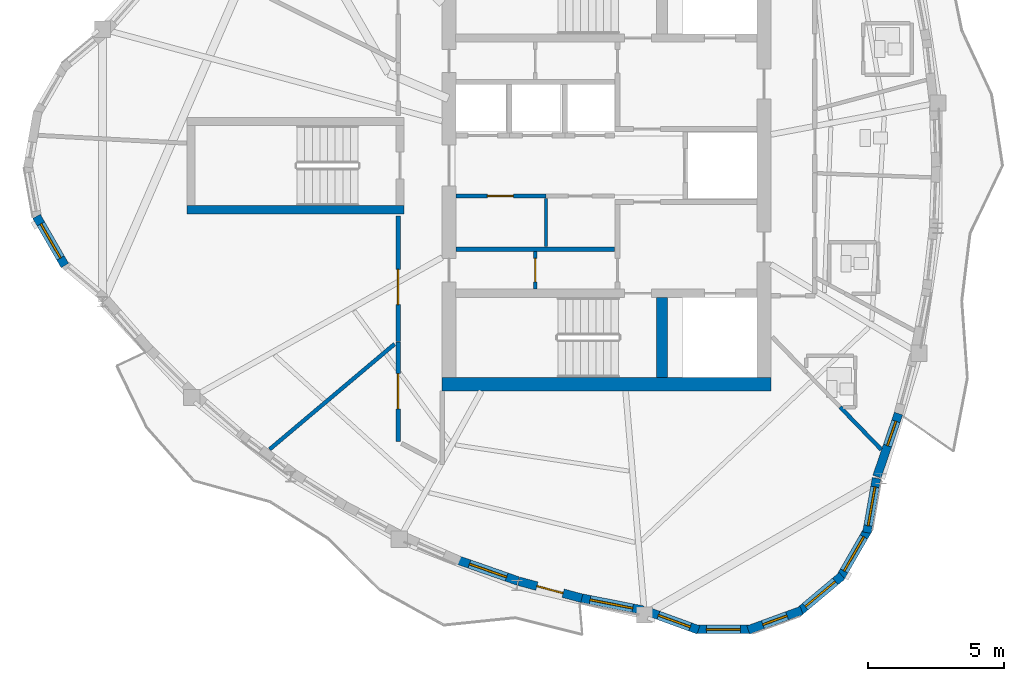
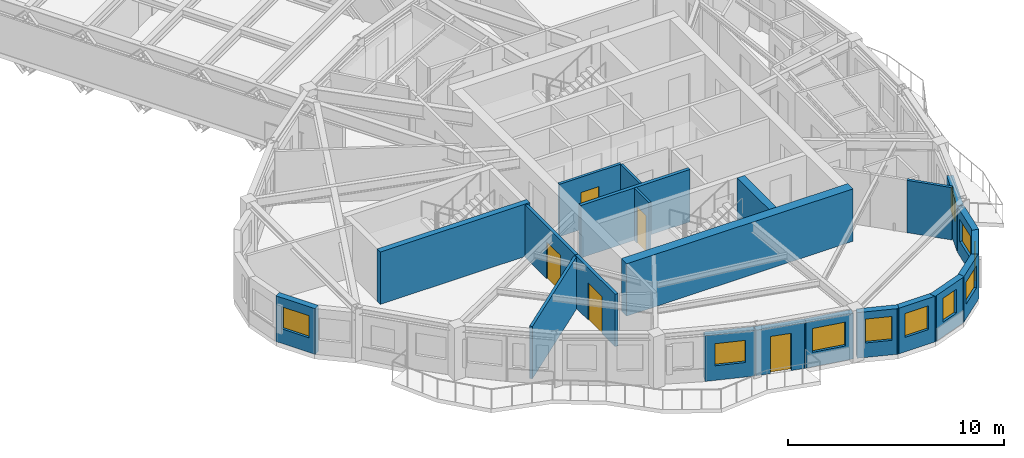
# One storey, part 5 of 14: 22 walls, 10 windows, 5 doors, 15 openings.
"""IFC4 building model written with IfcOpenShell, lengths in metres."""

from ifc_helpers import new_model, si_unit, direction, frame, frame_2d, origin, place, context, subcontext, project, spatial, rectangle, extrude, source, transform, mapped, material, layer, layer_set, type_object, element, fill, save


model = new_model("IFC4")

# Units and contexts
model_context = context("Model", 3, precision=1e-05, world=origin(), true_north=direction((0.0, 1.0)))
body_context = subcontext(model_context, "Body", "Model", "MODEL_VIEW")
ifc_project = project(units=[si_unit("LENGTHUNIT", "METRE"), si_unit("AREAUNIT", "SQUARE_METRE"), si_unit("VOLUMEUNIT", "CUBIC_METRE"), si_unit("PLANEANGLEUNIT", "RADIAN"), si_unit("MASSUNIT", "GRAM", prefix="KILO")], contexts=[model_context])

# Site, building, storey
site_placement = place(None, origin())
site = spatial("IfcSite", under=ifc_project, at=site_placement, CompositionType="ELEMENT")
building_placement = place(site_placement, origin())
building = spatial("IfcBuilding", under=site, at=building_placement, Name="Qafzar Sky-Pleat Residences", CompositionType="ELEMENT")
storey_placement = place(building_placement, frame((0.0, 0.0, 211.60009765625)))
storey = spatial("IfcBuildingStorey", under=building, at=storey_placement, Name="L63", CompositionType="ELEMENT", Elevation=211.60009765625)

# Wall, opening, door
ifc_material_1 = material(Name="Acoustic gypsum plasterboard partition", Category="gypsum")
ifc_layer_1 = layer(ifc_material_1, 0.159912109375)
ifc_layer_set_1 = layer_set([ifc_layer_1], Name="Acoustic gypsum plasterboard partition")
wall_type_1 = type_object("IfcWallType", Name="PART-COR-160", PredefinedType="PARTITIONING", material=ifc_layer_set_1)
wall_1_placement = place(storey_placement, frame((22.679931640625, 19.52001953125, 0.0), z_axis=(0.0, 0.0, 1.0), x_axis=(0.0, 1.0, 0.0)))
wall_1 = element("IfcWall", 1, at=wall_1_placement, inside=storey, type_object=wall_type_1, Name="L63 Partition Wall PART-L63-PW-004", PredefinedType="PARTITIONING", context=body_context, shape_type="SweptSolid", body=[
    extrude(rectangle(XDim=4.6298828125, YDim=0.159912109375, at=frame_2d((2.31494140625, 0.0))), origin(), (0.0, 0.0, 1.0), 2.9599609375),
])
opening_1_placement = place(wall_1_placement, frame((1.35693359375, 0.0, 0.0)))
opening_1 = element("IfcOpeningElement", 2, at=opening_1_placement, cuts=wall_1, Name="Opening ID-05", PredefinedType="OPENING", context=body_context, shape_type="SweptSolid", body=[
    extrude(rectangle(XDim=1.300048828125, YDim=2.10009765625, at=frame_2d((0.64990234375, 1.050048828125))), frame((0.0, 0.08984375, 0.0), z_axis=(0.0, -1.0, 0.0), x_axis=(1.0, 0.0, 0.0)), (0.0, 0.0, 1.0), 0.179931640625),
])
ifc_material_2 = material(Name="Timber-faced fire door", Category="wood")
door_type_1 = type_object("IfcDoorType", Name="DR-LNG-1300", OperationType="DOUBLE_DOOR_SINGLE_SWING", PredefinedType="DOOR", material=ifc_material_2)
shared_shape_1 = source(origin(), body_context, "Body", "SweptSolid", [
    extrude(rectangle(XDim=1.300048828125, YDim=2.10009765625, at=frame_2d((0.64990234375, 1.050048828125))), frame((0.0, 0.02490234375, 0.0), z_axis=(0.0, -1.0, 0.0), x_axis=(1.0, 0.0, 0.0)), (0.0, 0.0, 1.0), 0.050048828125),
])
door_1_placement = place(opening_1_placement, origin())
door_1 = element("IfcDoor", 3, at=door_1_placement, inside=storey, type_object=door_type_1, Name="L63 Tutorial Huddle Room Door", OperationType="DOUBLE_DOOR_SINGLE_SWING", OverallHeight=2.10009765625, OverallWidth=1.300048828125, PredefinedType="DOOR", context=body_context, shape_type="MappedRepresentation", body=[
    mapped(shared_shape_1, transform((0.0, 0.0, 0.0), x_axis=(1.0, 0.0, 0.0), y_axis=(0.0, 1.0, 0.0), z_axis=(0.0, 0.0, 1.0), scale=1.0)),
])
fill(opening_1, door_1)

wall_2_placement = place(storey_placement, frame((22.679931640625, 19.5048828125, 0.0), z_axis=(0.0, 0.0, 1.0), x_axis=(0.0, -1.0, 0.0)))
wall_2 = element("IfcWall", 4, at=wall_2_placement, inside=storey, type_object=wall_type_1, Name="L63 Partition Wall PART-L63-PW-007", PredefinedType="PARTITIONING", context=body_context, shape_type="SweptSolid", body=[
    extrude(rectangle(XDim=3.66796875, YDim=0.159912109375, at=frame_2d((1.833984375, 0.0))), origin(), (0.0, 0.0, 1.0), 2.9599609375),
])
opening_2_placement = place(wall_2_placement, frame((1.1669921875, 0.0, 0.0)))
opening_2 = element("IfcOpeningElement", 5, at=opening_2_placement, cuts=wall_2, Name="Opening ID-05", PredefinedType="OPENING", context=body_context, shape_type="SweptSolid", body=[
    extrude(rectangle(XDim=1.300048828125, YDim=2.10009765625, at=frame_2d((0.64990234375, 1.050048828125))), frame((0.0, 0.08984375, 0.0), z_axis=(0.0, -1.0, 0.0), x_axis=(1.0, 0.0, 0.0)), (0.0, 0.0, 1.0), 0.179931640625),
])
door_2_placement = place(opening_2_placement, origin())
door_2 = element("IfcDoor", 6, at=door_2_placement, inside=storey, type_object=door_type_1, Name="L63 Academic Seminar Room Door", OperationType="DOUBLE_DOOR_SINGLE_SWING", OverallHeight=2.10009765625, OverallWidth=1.300048828125, PredefinedType="DOOR", context=body_context, shape_type="MappedRepresentation", body=[
    mapped(shared_shape_1, transform((0.0, 0.0, 0.0), x_axis=(1.0, 0.0, 0.0), y_axis=(0.0, 1.0, 0.0), z_axis=(0.0, 0.0, 1.0), scale=1.0)),
])
fill(opening_2, door_2)

# Walls
ifc_material_3 = material(Name="Concrete blockwork partition", Category="masonry")
ifc_layer_2 = layer(ifc_material_3, 0.179931640625)
ifc_layer_set_2 = layer_set([ifc_layer_2], Name="Concrete blockwork partition")
wall_type_2 = type_object("IfcWallType", Name="PART-SHAFT-180", PredefinedType="PARTITIONING", material=ifc_layer_set_2)
wall_3_placement = place(storey_placement, frame((24.81005859375, 22.919921875, 0.0), z_axis=(0.0, 0.0, 1.0), x_axis=(1.0, 0.0, 0.0)))
element("IfcWall", 7, at=wall_3_placement, inside=storey, type_object=wall_type_2, Name="L63 Partition Wall PART-L63-P13-S", PredefinedType="PARTITIONING", context=body_context, shape_type="SweptSolid", body=[
    extrude(rectangle(XDim=5.83984375, YDim=0.179931640625, at=frame_2d((2.919921875, 0.0))), origin(), (0.0, 0.0, 1.0), 2.9599609375),
])
ifc_material_4 = material(Name="Gypsum plasterboard partition", Category="gypsum")
ifc_layer_3 = layer(ifc_material_4, 0.114990234375)
ifc_layer_set_3 = layer_set([ifc_layer_3], Name="Gypsum plasterboard partition")
wall_type_3 = type_object("IfcWallType", Name="PART-SVC-115", PredefinedType="PARTITIONING", material=ifc_layer_set_3)
wall_4_placement = place(storey_placement, frame((28.125, 23.02001953125, 0.0), z_axis=(0.0, 0.0, 1.0), x_axis=(0.0, 1.0, 0.0)))
element("IfcWall", 8, at=wall_4_placement, inside=storey, type_object=wall_type_3, Name="L63 Partition Wall PART-L63-RECLAIM-DIV", PredefinedType="PARTITIONING", context=body_context, shape_type="SweptSolid", body=[
    extrude(rectangle(XDim=1.77001953125, YDim=0.114990234375, at=frame_2d((0.885009765625, 0.0))), origin(), (0.0, 0.0, 1.0), 2.9599609375),
])

# Wall, opening, door
wall_5_placement = place(storey_placement, frame((27.72509765625, 21.4599609375, 0.0), z_axis=(0.0, 0.0, 1.0), x_axis=(0.0, 1.0, 0.0)))
wall_5 = element("IfcWall", 9, at=wall_5_placement, inside=storey, type_object=wall_type_3, Name="L63 Partition Wall PART-L63-KB-SW", PredefinedType="PARTITIONING", context=body_context, shape_type="SweptSolid", body=[
    extrude(rectangle(XDim=1.380126953125, YDim=0.114990234375, at=frame_2d((0.68994140625, 0.0))), origin(), (0.0, 0.0, 1.0), 2.9599609375),
])
opening_3_placement = place(wall_5_placement, frame((0.260009765625, 0.0, 0.0)))
opening_3 = element("IfcOpeningElement", 10, at=opening_3_placement, cuts=wall_5, Name="Opening ID-09", PredefinedType="OPENING", context=body_context, shape_type="SweptSolid", body=[
    extrude(rectangle(XDim=0.860107421875, YDim=2.050048828125, at=frame_2d((0.43017578125, 1.02490234375))), frame((0.0, 0.0673828125, 0.0), z_axis=(0.0, -1.0, 0.0), x_axis=(1.0, 0.0, 0.0)), (0.0, 0.0, 1.0), 0.135009765625),
])
door_type_2 = type_object("IfcDoorType", Name="DR-SVC-860", OperationType="NOTDEFINED", PredefinedType="DOOR", material=ifc_material_2)
shared_shape_2 = source(origin(), body_context, "Body", "SweptSolid", [
    extrude(rectangle(XDim=0.860107421875, YDim=2.050048828125, at=frame_2d((0.43017578125, 1.02490234375))), frame((0.0, 0.02490234375, 0.0), z_axis=(0.0, -1.0, 0.0), x_axis=(1.0, 0.0, 0.0)), (0.0, 0.0, 1.0), 0.050048828125),
])
door_3_placement = place(opening_3_placement, origin())
door_3 = element("IfcDoor", 11, at=door_3_placement, inside=storey, type_object=door_type_2, Name="L63 BMS Metering Cupboard Door", OperationType="SINGLE_SWING_LEFT", OverallHeight=2.050048828125, OverallWidth=0.860107421875, PredefinedType="DOOR", context=body_context, shape_type="MappedRepresentation", body=[
    mapped(shared_shape_2, transform((0.0, 0.0, 0.0), x_axis=(1.0, 0.0, 0.0), y_axis=(0.0, 1.0, 0.0), z_axis=(0.0, 0.0, 1.0), scale=1.0)),
])
fill(opening_3, door_3)

ifc_layer_4 = layer(ifc_material_1, 0.14501953125)
ifc_layer_set_4 = layer_set([ifc_layer_4], Name="Acoustic gypsum plasterboard partition")
wall_type_4 = type_object("IfcWallType", Name="PART-UNIT-145", PredefinedType="PARTITIONING", material=ifc_layer_set_4)
wall_6_placement = place(storey_placement, frame((24.81005859375, 24.8798828125, 0.0), z_axis=(0.0, 0.0, 1.0), x_axis=(1.0, 0.0, 0.0)))
wall_6 = element("IfcWall", 12, at=wall_6_placement, inside=storey, type_object=wall_type_4, Name="L63 Partition Wall PART-L63-RECLAIM-N1", PredefinedType="PARTITIONING", context=body_context, shape_type="SweptSolid", body=[
    extrude(rectangle(XDim=3.31005859375, YDim=0.14501953125, at=frame_2d((1.655029296875, 0.0))), origin(), (0.0, 0.0, 1.0), 2.9599609375),
])
opening_4_placement = place(wall_6_placement, frame((1.14990234375, 0.0, 0.0)))
opening_4 = element("IfcOpeningElement", 13, at=opening_4_placement, cuts=wall_6, Name="Opening ID-06", PredefinedType="OPENING", context=body_context, shape_type="SweptSolid", body=[
    extrude(rectangle(XDim=0.9599609375, YDim=2.10009765625, at=frame_2d((0.47998046875, 1.050048828125))), frame((0.0, 0.08251953125, 0.0), z_axis=(0.0, -1.0, 0.0), x_axis=(1.0, 0.0, 0.0)), (0.0, 0.0, 1.0), 0.1650390625),
])
door_type_3 = type_object("IfcDoorType", Name="DR-STD-960", OperationType="NOTDEFINED", PredefinedType="DOOR", material=ifc_material_2)
shared_shape_3 = source(origin(), body_context, "Body", "SweptSolid", [
    extrude(rectangle(XDim=0.9599609375, YDim=2.10009765625, at=frame_2d((0.47998046875, 1.050048828125))), frame((0.0, 0.02490234375, 0.0), z_axis=(0.0, -1.0, 0.0), x_axis=(1.0, 0.0, 0.0)), (0.0, 0.0, 1.0), 0.050048828125),
])
door_4_placement = place(opening_4_placement, origin())
door_4 = element("IfcDoor", 14, at=door_4_placement, inside=storey, type_object=door_type_3, Name="L63 Reclaimed Quiet Study Room Door", OperationType="SINGLE_SWING_LEFT", OverallHeight=2.10009765625, OverallWidth=0.9599609375, PredefinedType="DOOR", context=body_context, shape_type="MappedRepresentation", body=[
    mapped(shared_shape_3, transform((0.0, 0.0, 0.0), x_axis=(1.0, 0.0, 0.0), y_axis=(0.0, 1.0, 0.0), z_axis=(0.0, 0.0, 1.0), scale=1.0)),
])
fill(opening_4, door_4)

# Walls
wall_7_placement = place(storey_placement, frame((17.9482421875, 15.552978515625, 0.0), z_axis=(0.0, 0.0, 1.0), x_axis=(0.764805901006, 0.644260765364, 0.0)))
element("IfcWall", 15, at=wall_7_placement, inside=storey, type_object=wall_type_4, Name="L63 Partition Wall PART-L63-PW-019", PredefinedType="PARTITIONING", context=body_context, shape_type="SweptSolid", body=[
    extrude(rectangle(XDim=6.01318359375, YDim=0.14501953125, at=frame_2d((3.006591796875, 0.0))), origin(), (0.0, 0.0, 1.0), 2.9599609375),
])
wall_8_placement = place(storey_placement, frame((38.950927734375, 17.10888671875, 0.0), z_axis=(0.0, 0.0, 1.0), x_axis=(0.695195716836, -0.718820502833, 0.0)))
element("IfcWall", 16, at=wall_8_placement, inside=storey, type_object=wall_type_4, Name="L63 Partition Wall PART-L63-PW-031", PredefinedType="PARTITIONING", context=body_context, shape_type="SweptSolid", body=[
    extrude(rectangle(XDim=2.180419921875, YDim=0.14501953125, at=frame_2d((1.09033203125, 0.0))), origin(), (0.0, 0.0, 1.0), 2.9599609375),
])

# Wall, opening, window
ifc_material_5 = material(Name="Precast concrete C40/50 with honed Riyadh limestone", Category="concrete")
ifc_layer_5 = layer(ifc_material_5, 0.320068359375)
ifc_layer_set_5 = layer_set([ifc_layer_5], Name="Precast concrete C40/50 with honed Riyadh limestone")
wall_type_5 = type_object("IfcWallType", Name="WALL-EXT-320", PredefinedType="SOLIDWALL", material=ifc_layer_set_5)
wall_9_placement = place(storey_placement, frame((9.364501953125, 24.129150390625, 0.0), z_axis=(0.0, 0.0, 1.0), x_axis=(0.49990781971, -0.866078617559, 0.0)))
wall_9 = element("IfcWall", 17, at=wall_9_placement, inside=storey, type_object=wall_type_5, Name="L63 Limestone Facade Wall 5", PredefinedType="SOLIDWALL", context=body_context, shape_type="SweptSolid", body=[
    extrude(rectangle(XDim=2.09033203125, YDim=0.320068359375, at=frame_2d((1.045166015625, 0.0))), origin(), (0.0, 0.0, 1.0), 2.579833984375),
])
opening_5_placement = place(wall_9_placement, frame((0.3203125, 0.0, 0.820068359375)))
opening_5 = element("IfcOpeningElement", 18, at=opening_5_placement, cuts=wall_9, Name="Opening WN-15", PredefinedType="OPENING", context=body_context, shape_type="SweptSolid", body=[
    extrude(rectangle(XDim=1.449951171875, YDim=1.25, at=frame_2d((0.72509765625, 0.625))), frame((0.0, 0.169921875, 0.0), z_axis=(0.0, -1.0, 0.0), x_axis=(1.0, 0.0, 0.0)), (0.0, 0.0, 1.0), 0.340087890625),
])
ifc_material_6 = material(Name="Solar-control low-E glass in bronze aluminium frame", Category="glass")
window_type_1 = type_object("IfcWindowType", Name="WIN-15", PartitioningType="SINGLE_PANEL", PredefinedType="WINDOW", material=ifc_material_6)
shared_shape_4 = source(origin(), body_context, "Body", "SweptSolid", [
    extrude(rectangle(XDim=1.449951171875, YDim=1.25, at=frame_2d((0.72509765625, 0.625))), frame((0.0, 0.030029296875, 0.0), z_axis=(0.0, -1.0, 0.0), x_axis=(1.0, 0.0, 0.0)), (0.0, 0.0, 1.0), 0.06005859375),
])
window_1_placement = place(opening_5_placement, origin())
window_1 = element("IfcWindow", 19, at=window_1_placement, inside=storey, type_object=window_type_1, Name="L63 Punched Facade Window 05", OverallHeight=1.25, OverallWidth=1.449951171875, PartitioningType="SINGLE_PANEL", PredefinedType="WINDOW", context=body_context, shape_type="MappedRepresentation", body=[
    mapped(shared_shape_4, transform((0.0, 0.0, 0.0), x_axis=(1.0, 0.0, 0.0), y_axis=(0.0, 1.0, 0.0), z_axis=(0.0, 0.0, 1.0), scale=1.0)),
])
fill(opening_5, window_1)

wall_10_placement = place(storey_placement, frame((24.86279296875, 11.482421875, 0.0), z_axis=(0.0, 0.0, 1.0), x_axis=(0.944115731475, -0.329614146514, 0.0)))
wall_10 = element("IfcWall", 20, at=wall_10_placement, inside=storey, type_object=wall_type_5, Name="L63 Limestone Facade Wall 14", PredefinedType="SOLIDWALL", context=body_context, shape_type="SweptSolid", body=[
    extrude(rectangle(XDim=2.363525390625, YDim=0.320068359375, at=frame_2d((1.181640625, 0.0))), origin(), (0.0, 0.0, 1.0), 2.579833984375),
])
opening_6_placement = place(wall_10_placement, frame((0.466796875, 0.0, 0.820068359375)))
opening_6 = element("IfcOpeningElement", 21, at=opening_6_placement, cuts=wall_10, Name="Opening WN-15", PredefinedType="OPENING", context=body_context, shape_type="SweptSolid", body=[
    extrude(rectangle(XDim=1.449951171875, YDim=1.25, at=frame_2d((0.72509765625, 0.625))), frame((0.0, 0.169921875, 0.0), z_axis=(0.0, -1.0, 0.0), x_axis=(1.0, 0.0, 0.0)), (0.0, 0.0, 1.0), 0.340087890625),
])
window_2_placement = place(opening_6_placement, origin())
window_2 = element("IfcWindow", 22, at=window_2_placement, inside=storey, type_object=window_type_1, Name="L63 Punched Facade Window 14", OverallHeight=1.25, OverallWidth=1.449951171875, PartitioningType="SINGLE_PANEL", PredefinedType="WINDOW", context=body_context, shape_type="MappedRepresentation", body=[
    mapped(shared_shape_4, transform((0.0, 0.0, 0.0), x_axis=(1.0, 0.0, 0.0), y_axis=(0.0, 1.0, 0.0), z_axis=(0.0, 0.0, 1.0), scale=1.0)),
])
fill(opening_6, window_2)

# Wall, opening, door
wall_11_placement = place(storey_placement, frame((27.121337890625, 10.695068359375, 0.0), z_axis=(0.0, 0.0, 1.0), x_axis=(0.965442888538, -0.26061471365, 0.0)))
wall_11 = element("IfcWall", 23, at=wall_11_placement, inside=storey, type_object=wall_type_5, Name="L63 Limestone Facade Wall 15", PredefinedType="SOLIDWALL", context=body_context, shape_type="SweptSolid", body=[
    extrude(rectangle(XDim=2.40283203125, YDim=0.320068359375, at=frame_2d((1.201416015625, 0.0))), origin(), (0.0, 0.0, 1.0), 2.579833984375),
])
opening_7_placement = place(wall_11_placement, frame((0.69140625, 0.0, 0.0)))
opening_7 = element("IfcOpeningElement", 24, at=opening_7_placement, cuts=wall_11, Name="Opening ED-05", PredefinedType="OPENING", context=body_context, shape_type="SweptSolid", body=[
    extrude(rectangle(XDim=1.0, YDim=2.10009765625, at=frame_2d((0.5, 1.050048828125))), frame((0.0, 0.169921875, 0.0), z_axis=(0.0, -1.0, 0.0), x_axis=(1.0, 0.0, 0.0)), (0.0, 0.0, 1.0), 0.340087890625),
])
ifc_material_7 = material(Name="Glazed bronze aluminium door", Category="aluminium")
door_type_4 = type_object("IfcDoorType", Name="DR-BAL-1000", OperationType="NOTDEFINED", PredefinedType="DOOR", material=ifc_material_7)
shared_shape_5 = source(origin(), body_context, "Body", "SweptSolid", [
    extrude(rectangle(XDim=1.0, YDim=2.10009765625, at=frame_2d((0.5, 1.050048828125))), frame((0.0, 0.02490234375, 0.0), z_axis=(0.0, -1.0, 0.0), x_axis=(1.0, 0.0, 0.0)), (0.0, 0.0, 1.0), 0.050048828125),
])
door_5_placement = place(opening_7_placement, origin())
door_5 = element("IfcDoor", 25, at=door_5_placement, inside=storey, type_object=door_type_4, Name="L63 Glazed Balcony Door 2", OperationType="SINGLE_SWING_LEFT", OverallHeight=2.10009765625, OverallWidth=1.0, PredefinedType="DOOR", context=body_context, shape_type="MappedRepresentation", body=[
    mapped(shared_shape_5, transform((0.0, 0.0, 0.0), x_axis=(1.0, 0.0, 0.0), y_axis=(0.0, 1.0, 0.0), z_axis=(0.0, 0.0, 1.0), scale=1.0)),
])
fill(opening_7, door_5)

# Wall, opening, window
wall_12_placement = place(storey_placement, frame((29.356201171875, 10.088623046875, 0.0), z_axis=(0.0, 0.0, 1.0), x_axis=(0.98122529052, -0.192865054494, 0.0)))
wall_12 = element("IfcWall", 26, at=wall_12_placement, inside=storey, type_object=wall_type_5, Name="L63 Limestone Facade Wall 16", PredefinedType="SOLIDWALL", context=body_context, shape_type="SweptSolid", body=[
    extrude(rectangle(XDim=2.383544921875, YDim=0.320068359375, at=frame_2d((1.19189453125, 0.0))), origin(), (0.0, 0.0, 1.0), 2.579833984375),
])
opening_8_placement = place(wall_12_placement, frame((0.396728515625, 0.0, 0.820068359375)))
opening_8 = element("IfcOpeningElement", 27, at=opening_8_placement, cuts=wall_12, Name="Opening WN-09", PredefinedType="OPENING", context=body_context, shape_type="SweptSolid", body=[
    extrude(rectangle(XDim=1.60009765625, YDim=1.35009765625, at=frame_2d((0.800048828125, 0.675048828125))), frame((0.0, 0.169921875, 0.0), z_axis=(0.0, -1.0, 0.0), x_axis=(1.0, 0.0, 0.0)), (0.0, 0.0, 1.0), 0.340087890625),
])
window_type_2 = type_object("IfcWindowType", Name="WIN-09", PartitioningType="DOUBLE_PANEL_VERTICAL", PredefinedType="WINDOW", material=ifc_material_6)
shared_shape_6 = source(origin(), body_context, "Body", "SweptSolid", [
    extrude(rectangle(XDim=1.60009765625, YDim=1.35009765625, at=frame_2d((0.800048828125, 0.675048828125))), frame((0.0, 0.030029296875, 0.0), z_axis=(0.0, -1.0, 0.0), x_axis=(1.0, 0.0, 0.0)), (0.0, 0.0, 1.0), 0.06005859375),
])
window_3_placement = place(opening_8_placement, origin())
window_3 = element("IfcWindow", 28, at=window_3_placement, inside=storey, type_object=window_type_2, Name="L63 Punched Facade Window 16", OverallHeight=1.35009765625, OverallWidth=1.60009765625, PartitioningType="SINGLE_PANEL", PredefinedType="WINDOW", context=body_context, shape_type="MappedRepresentation", body=[
    mapped(shared_shape_6, transform((0.0, 0.0, 0.0), x_axis=(1.0, 0.0, 0.0), y_axis=(0.0, 1.0, 0.0), z_axis=(0.0, 0.0, 1.0), scale=1.0)),
])
fill(opening_8, window_3)

wall_13_placement = place(storey_placement, frame((31.891845703125, 9.57421875, 0.0), z_axis=(0.0, 0.0, 1.0), x_axis=(0.939680751434, -0.342052752343, 0.0)))
wall_13 = element("IfcWall", 29, at=wall_13_placement, inside=storey, type_object=wall_type_5, Name="L63 Limestone Facade Wall 17", PredefinedType="SOLIDWALL", context=body_context, shape_type="SweptSolid", body=[
    extrude(rectangle(XDim=1.962158203125, YDim=0.320068359375, at=frame_2d((0.98095703125, 0.0))), origin(), (0.0, 0.0, 1.0), 2.579833984375),
])
opening_9_placement = place(wall_13_placement, frame((0.39111328125, 0.0, 0.820068359375)))
opening_9 = element("IfcOpeningElement", 30, at=opening_9_placement, cuts=wall_13, Name="Opening WN-11", PredefinedType="OPENING", context=body_context, shape_type="SweptSolid", body=[
    extrude(rectangle(XDim=1.25, YDim=1.35009765625, at=frame_2d((0.625, 0.675048828125))), frame((0.0, 0.169921875, 0.0), z_axis=(0.0, -1.0, 0.0), x_axis=(1.0, 0.0, 0.0)), (0.0, 0.0, 1.0), 0.340087890625),
])
window_type_3 = type_object("IfcWindowType", Name="WIN-11", PartitioningType="SINGLE_PANEL", PredefinedType="WINDOW", material=ifc_material_6)
shared_shape_7 = source(origin(), body_context, "Body", "SweptSolid", [
    extrude(rectangle(XDim=1.25, YDim=1.35009765625, at=frame_2d((0.625, 0.675048828125))), frame((0.0, 0.030029296875, 0.0), z_axis=(0.0, -1.0, 0.0), x_axis=(1.0, 0.0, 0.0)), (0.0, 0.0, 1.0), 0.06005859375),
])
window_4_placement = place(opening_9_placement, origin())
window_4 = element("IfcWindow", 31, at=window_4_placement, inside=storey, type_object=window_type_3, Name="L63 Punched Facade Window 17", OverallHeight=1.35009765625, OverallWidth=1.25, PartitioningType="SINGLE_PANEL", PredefinedType="WINDOW", context=body_context, shape_type="MappedRepresentation", body=[
    mapped(shared_shape_7, transform((0.0, 0.0, 0.0), x_axis=(1.0, 0.0, 0.0), y_axis=(0.0, 1.0, 0.0), z_axis=(0.0, 0.0, 1.0), scale=1.0)),
])
fill(opening_9, window_4)

wall_14_placement = place(storey_placement, frame((33.607421875, 8.925537109375, 0.0), z_axis=(0.0, 0.0, 1.0), x_axis=(1.0, 0.0, 0.0)))
wall_14 = element("IfcWall", 32, at=wall_14_placement, inside=storey, type_object=wall_type_5, Name="L63 Limestone Facade Wall 18", PredefinedType="SOLIDWALL", context=body_context, shape_type="SweptSolid", body=[
    extrude(rectangle(XDim=2.09033203125, YDim=0.320068359375, at=frame_2d((1.045166015625, 0.0))), origin(), (0.0, 0.0, 1.0), 2.579833984375),
])
opening_10_placement = place(wall_14_placement, frame((0.420166015625, 0.0, 0.820068359375)))
opening_10 = element("IfcOpeningElement", 33, at=opening_10_placement, cuts=wall_14, Name="Opening WN-11", PredefinedType="OPENING", context=body_context, shape_type="SweptSolid", body=[
    extrude(rectangle(XDim=1.25, YDim=1.35009765625, at=frame_2d((0.625, 0.675048828125))), frame((0.0, 0.169921875, 0.0), z_axis=(0.0, -1.0, 0.0), x_axis=(1.0, 0.0, 0.0)), (0.0, 0.0, 1.0), 0.340087890625),
])
window_5_placement = place(opening_10_placement, origin())
window_5 = element("IfcWindow", 34, at=window_5_placement, inside=storey, type_object=window_type_3, Name="L63 Punched Facade Window 18", OverallHeight=1.35009765625, OverallWidth=1.25, PartitioningType="SINGLE_PANEL", PredefinedType="WINDOW", context=body_context, shape_type="MappedRepresentation", body=[
    mapped(shared_shape_7, transform((0.0, 0.0, 0.0), x_axis=(1.0, 0.0, 0.0), y_axis=(0.0, 1.0, 0.0), z_axis=(0.0, 0.0, 1.0), scale=1.0)),
])
fill(opening_10, window_5)

wall_15_placement = place(storey_placement, frame((35.5693359375, 8.903076171875, 0.0), z_axis=(0.0, 0.0, 1.0), x_axis=(0.939697896412, 0.342005648315, 0.0)))
wall_15 = element("IfcWall", 35, at=wall_15_placement, inside=storey, type_object=wall_type_5, Name="L63 Limestone Facade Wall 19", PredefinedType="SOLIDWALL", context=body_context, shape_type="SweptSolid", body=[
    extrude(rectangle(XDim=2.090087890625, YDim=0.320068359375, at=frame_2d((1.044921875, 0.0))), origin(), (0.0, 0.0, 1.0), 2.579833984375),
])
opening_11_placement = place(wall_15_placement, frame((0.5703125, 0.0, 0.820068359375)))
opening_11 = element("IfcOpeningElement", 36, at=opening_11_placement, cuts=wall_15, Name="Opening WN-12", PredefinedType="OPENING", context=body_context, shape_type="SweptSolid", body=[
    extrude(rectangle(XDim=0.949951171875, YDim=1.35009765625, at=frame_2d((0.47509765625, 0.675048828125))), frame((0.0, 0.169921875, 0.0), z_axis=(0.0, -1.0, 0.0), x_axis=(1.0, 0.0, 0.0)), (0.0, 0.0, 1.0), 0.340087890625),
])
window_type_4 = type_object("IfcWindowType", Name="WIN-12", PartitioningType="SINGLE_PANEL", PredefinedType="WINDOW", material=ifc_material_6)
shared_shape_8 = source(origin(), body_context, "Body", "SweptSolid", [
    extrude(rectangle(XDim=0.949951171875, YDim=1.35009765625, at=frame_2d((0.47509765625, 0.675048828125))), frame((0.0, 0.030029296875, 0.0), z_axis=(0.0, -1.0, 0.0), x_axis=(1.0, 0.0, 0.0)), (0.0, 0.0, 1.0), 0.06005859375),
])
window_6_placement = place(opening_11_placement, origin())
window_6 = element("IfcWindow", 37, at=window_6_placement, inside=storey, type_object=window_type_4, Name="L63 Punched Facade Window 19", OverallHeight=1.35009765625, OverallWidth=0.949951171875, PartitioningType="SINGLE_PANEL", PredefinedType="WINDOW", context=body_context, shape_type="MappedRepresentation", body=[
    mapped(shared_shape_8, transform((0.0, 0.0, 0.0), x_axis=(1.0, 0.0, 0.0), y_axis=(0.0, 1.0, 0.0), z_axis=(0.0, 0.0, 1.0), scale=1.0)),
])
fill(opening_11, window_6)

wall_16_placement = place(storey_placement, frame((37.42041015625, 9.552734375, 0.0), z_axis=(0.0, 0.0, 1.0), x_axis=(0.766072824549, 0.642753784499, 0.0)))
wall_16 = element("IfcWall", 38, at=wall_16_placement, inside=storey, type_object=wall_type_5, Name="L63 Limestone Facade Wall 20", PredefinedType="SOLIDWALL", context=body_context, shape_type="SweptSolid", body=[
    extrude(rectangle(XDim=2.090576171875, YDim=0.320068359375, at=frame_2d((1.04541015625, 0.0))), origin(), (0.0, 0.0, 1.0), 2.579833984375),
])
opening_12_placement = place(wall_16_placement, frame((0.3203125, 0.0, 0.820068359375)))
opening_12 = element("IfcOpeningElement", 39, at=opening_12_placement, cuts=wall_16, Name="Opening WN-15", PredefinedType="OPENING", context=body_context, shape_type="SweptSolid", body=[
    extrude(rectangle(XDim=1.449951171875, YDim=1.25, at=frame_2d((0.72509765625, 0.625))), frame((0.0, 0.169921875, 0.0), z_axis=(0.0, -1.0, 0.0), x_axis=(1.0, 0.0, 0.0)), (0.0, 0.0, 1.0), 0.340087890625),
])
window_7_placement = place(opening_12_placement, origin())
window_7 = element("IfcWindow", 40, at=window_7_placement, inside=storey, type_object=window_type_1, Name="L63 Punched Facade Window 20", OverallHeight=1.25, OverallWidth=1.449951171875, PartitioningType="SINGLE_PANEL", PredefinedType="WINDOW", context=body_context, shape_type="MappedRepresentation", body=[
    mapped(shared_shape_4, transform((0.0, 0.0, 0.0), x_axis=(1.0, 0.0, 0.0), y_axis=(0.0, 1.0, 0.0), z_axis=(0.0, 0.0, 1.0), scale=1.0)),
])
fill(opening_12, window_7)

wall_17_placement = place(storey_placement, frame((38.93798828125, 10.79638671875, 0.0), z_axis=(0.0, 0.0, 1.0), x_axis=(0.499995423472, 0.866028046028, 0.0)))
wall_17 = element("IfcWall", 41, at=wall_17_placement, inside=storey, type_object=wall_type_5, Name="L63 Limestone Facade Wall 21", PredefinedType="SOLIDWALL", context=body_context, shape_type="SweptSolid", body=[
    extrude(rectangle(XDim=2.09033203125, YDim=0.320068359375, at=frame_2d((1.045166015625, 0.0))), origin(), (0.0, 0.0, 1.0), 2.579833984375),
])
opening_13_placement = place(wall_17_placement, frame((0.320068359375, 0.0, 0.820068359375)))
opening_13 = element("IfcOpeningElement", 42, at=opening_13_placement, cuts=wall_17, Name="Opening WN-15", PredefinedType="OPENING", context=body_context, shape_type="SweptSolid", body=[
    extrude(rectangle(XDim=1.449951171875, YDim=1.25, at=frame_2d((0.72509765625, 0.625))), frame((0.0, 0.169921875, 0.0), z_axis=(0.0, -1.0, 0.0), x_axis=(1.0, 0.0, 0.0)), (0.0, 0.0, 1.0), 0.340087890625),
])
window_8_placement = place(opening_13_placement, origin())
window_8 = element("IfcWindow", 43, at=window_8_placement, inside=storey, type_object=window_type_1, Name="L63 Punched Facade Window 21", OverallHeight=1.25, OverallWidth=1.449951171875, PartitioningType="SINGLE_PANEL", PredefinedType="WINDOW", context=body_context, shape_type="MappedRepresentation", body=[
    mapped(shared_shape_4, transform((0.0, 0.0, 0.0), x_axis=(1.0, 0.0, 0.0), y_axis=(0.0, 1.0, 0.0), z_axis=(0.0, 0.0, 1.0), scale=1.0)),
])
fill(opening_13, window_8)

wall_18_placement = place(storey_placement, frame((39.9384765625, 12.484130859375, 0.0), z_axis=(0.0, 0.0, 1.0), x_axis=(0.17370309897, 0.984798067326, 0.0)))
wall_18 = element("IfcWall", 44, at=wall_18_placement, inside=storey, type_object=wall_type_5, Name="L63 Limestone Facade Wall 22", PredefinedType="SOLIDWALL", context=body_context, shape_type="SweptSolid", body=[
    extrude(rectangle(XDim=2.032470703125, YDim=0.320068359375, at=frame_2d((1.01611328125, 0.0))), origin(), (0.0, 0.0, 1.0), 2.579833984375),
])
opening_14_placement = place(wall_18_placement, frame((0.26123046875, 0.0, 0.820068359375)))
opening_14 = element("IfcOpeningElement", 45, at=opening_14_placement, cuts=wall_18, Name="Opening WN-15", PredefinedType="OPENING", context=body_context, shape_type="SweptSolid", body=[
    extrude(rectangle(XDim=1.449951171875, YDim=1.25, at=frame_2d((0.72509765625, 0.625))), frame((0.0, 0.169921875, 0.0), z_axis=(0.0, -1.0, 0.0), x_axis=(1.0, 0.0, 0.0)), (0.0, 0.0, 1.0), 0.340087890625),
])
window_9_placement = place(opening_14_placement, origin())
window_9 = element("IfcWindow", 46, at=window_9_placement, inside=storey, type_object=window_type_1, Name="L63 Punched Facade Window 22", OverallHeight=1.25, OverallWidth=1.449951171875, PartitioningType="SINGLE_PANEL", PredefinedType="WINDOW", context=body_context, shape_type="MappedRepresentation", body=[
    mapped(shared_shape_4, transform((0.0, 0.0, 0.0), x_axis=(1.0, 0.0, 0.0), y_axis=(0.0, 1.0, 0.0), z_axis=(0.0, 0.0, 1.0), scale=1.0)),
])
fill(opening_14, window_9)

wall_19_placement = place(storey_placement, frame((40.3076171875, 14.548095703125, 0.0), z_axis=(0.0, 0.0, 1.0), x_axis=(0.323591564922, 0.946196860654, 0.0)))
wall_19 = element("IfcWall", 47, at=wall_19_placement, inside=storey, type_object=wall_type_5, Name="L63 Limestone Facade Wall 23", PredefinedType="SOLIDWALL", context=body_context, shape_type="SweptSolid", body=[
    extrude(rectangle(XDim=2.45361328125, YDim=0.320068359375, at=frame_2d((1.226806640625, 0.0))), origin(), (0.0, 0.0, 1.0), 2.579833984375),
])
opening_15_placement = place(wall_19_placement, frame((1.202392578125, 0.0, 0.820068359375)))
opening_15 = element("IfcOpeningElement", 48, at=opening_15_placement, cuts=wall_19, Name="Opening WN-12", PredefinedType="OPENING", context=body_context, shape_type="SweptSolid", body=[
    extrude(rectangle(XDim=0.949951171875, YDim=1.35009765625, at=frame_2d((0.47509765625, 0.675048828125))), frame((0.0, 0.169921875, 0.0), z_axis=(0.0, -1.0, 0.0), x_axis=(1.0, 0.0, 0.0)), (0.0, 0.0, 1.0), 0.340087890625),
])
window_10_placement = place(opening_15_placement, origin())
window_10 = element("IfcWindow", 49, at=window_10_placement, inside=storey, type_object=window_type_4, Name="L63 Punched Facade Window 23-2", OverallHeight=1.35009765625, OverallWidth=0.949951171875, PartitioningType="SINGLE_PANEL", PredefinedType="WINDOW", context=body_context, shape_type="MappedRepresentation", body=[
    mapped(shared_shape_8, transform((0.0, 0.0, 0.0), x_axis=(1.0, 0.0, 0.0), y_axis=(0.0, 1.0, 0.0), z_axis=(0.0, 0.0, 1.0), scale=1.0)),
])
fill(opening_15, window_10)

# Walls
ifc_material_8 = material(Name="Concrete C60/75", Category="concrete")
ifc_layer_6 = layer(ifc_material_8, 0.300048828125)
ifc_layer_set_6 = layer_set([ifc_layer_6], Name="Concrete C60/75")
wall_type_6 = type_object("IfcWallType", Name="WALL-SHEAR-300", PredefinedType="SHEAR", material=ifc_layer_set_6)
wall_20_placement = place(storey_placement, frame((14.89990234375, 24.375, 0.0), z_axis=(0.0, 0.0, 1.0), x_axis=(1.0, 0.0, 0.0)))
element("IfcWall", 50, at=wall_20_placement, inside=storey, type_object=wall_type_6, Name="L63 ST3 wall S", PredefinedType="SHEAR", context=body_context, shape_type="SweptSolid", body=[
    extrude(rectangle(XDim=8.0, YDim=0.300048828125, at=frame_2d((4.0, 0.0))), origin(), (0.0, 0.0, 1.0), 2.9599609375),
])
ifc_layer_7 = layer(ifc_material_8, 0.39990234375)
ifc_layer_set_7 = layer_set([ifc_layer_7], Name="Concrete C60/75")
wall_type_7 = type_object("IfcWallType", Name="WALL-SHEAR-400", PredefinedType="SHEAR", material=ifc_layer_set_7)
wall_21_placement = place(storey_placement, frame((32.39990234375, 18.199951171875, 0.0), z_axis=(0.0, 0.0, 1.0), x_axis=(0.0, 1.0, 0.0)))
element("IfcWall", 51, at=wall_21_placement, inside=storey, type_object=wall_type_7, Name="L63 Stair ST1 East Dividing Wall", PredefinedType="SHEAR", context=body_context, shape_type="SweptSolid", body=[
    extrude(rectangle(XDim=2.949951171875, YDim=0.39990234375, at=frame_2d((1.47509765625, 0.0))), origin(), (0.0, 0.0, 1.0), 2.9599609375),
])
ifc_layer_8 = layer(ifc_material_8, 0.5)
ifc_layer_set_8 = layer_set([ifc_layer_8], Name="Concrete C60/75")
wall_type_8 = type_object("IfcWallType", Name="WALL-SHEAR-500", PredefinedType="SHEAR", material=ifc_layer_set_8)
wall_22_placement = place(storey_placement, frame((24.300048828125, 17.949951171875, 0.0), z_axis=(0.0, 0.0, 1.0), x_axis=(1.0, 0.0, 0.0)))
element("IfcWall", 52, at=wall_22_placement, inside=storey, type_object=wall_type_8, Name="L63 CORE wall S", PredefinedType="SHEAR", context=body_context, shape_type="SweptSolid", body=[
    extrude(rectangle(XDim=12.099853515625, YDim=0.5, at=frame_2d((6.0498046875, 0.0))), origin(), (0.0, 0.0, 1.0), 2.9599609375),
])

save(model, "model.ifc")
